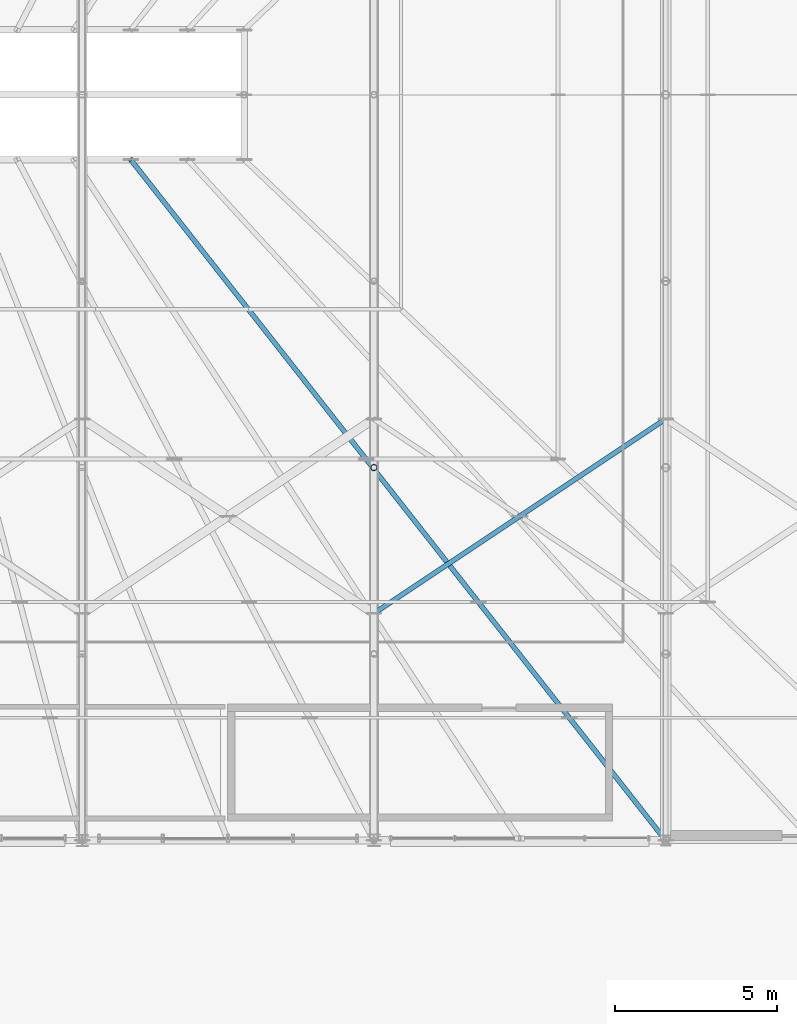
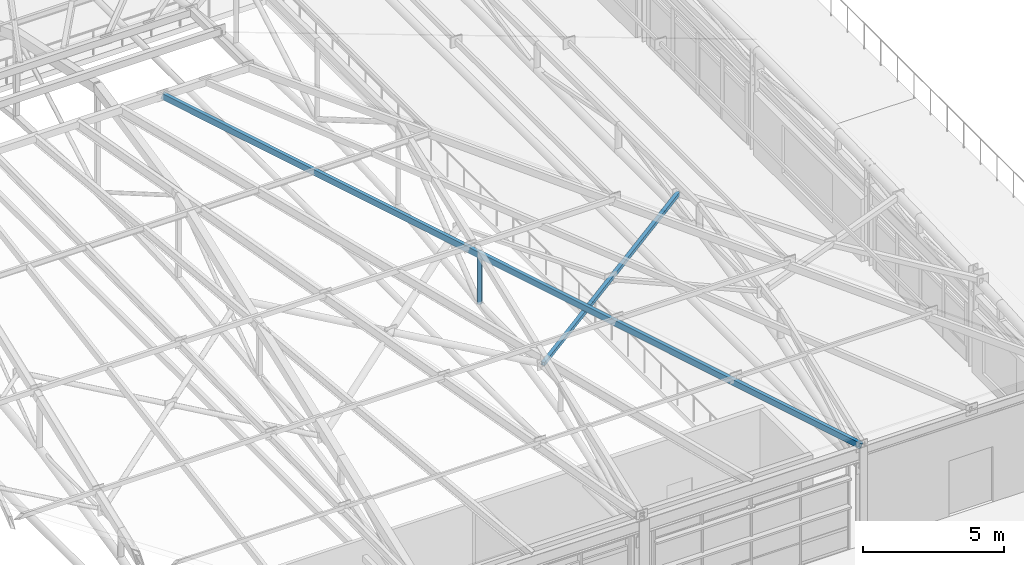
# One storey, part 40 of 168: 3 members.
"""IFC4 building model written with IfcOpenShell, lengths in metres."""

from ifc_helpers import new_model, si_unit, direction, frame, origin, origin_2d, place, context, subcontext, project, spatial, hollow_rectangle, hollow_circle, extrude, material, material_profile, profile_set, type_object, element, save


model = new_model("IFC4")

# Units and contexts
model_context = context("Model", 3, precision=1e-05, world=origin(), true_north=direction((0.0, 1.0)))
body_context = subcontext(model_context, "Body", "Model", "MODEL_VIEW")
ifc_project = project(units=[si_unit("LENGTHUNIT", "METRE"), si_unit("AREAUNIT", "SQUARE_METRE"), si_unit("VOLUMEUNIT", "CUBIC_METRE"), si_unit("PLANEANGLEUNIT", "RADIAN"), si_unit("MASSUNIT", "GRAM", prefix="KILO"), si_unit("THERMODYNAMICTEMPERATUREUNIT", "KELVIN"), si_unit("POWERUNIT", "WATT")], contexts=[model_context])

# Site, building, storey
site_placement = place(None, origin())
site = spatial("IfcSite", under=ifc_project, at=site_placement, CompositionType="ELEMENT")
building_placement = place(site_placement, origin())
building = spatial("IfcBuilding", under=site, at=building_placement, Name="Tepalcoro Natatorium and Aquatics Centre", CompositionType="ELEMENT")
storey_placement = place(building_placement, frame((0.0, 0.0, 10.199951171875)))
storey = spatial("IfcBuildingStorey", under=building, at=storey_placement, Name="L02", CompositionType="ELEMENT", Elevation=10.199951171875)

# Members
ifc_material_1 = material(Name="Hollow Steel ASTM A500 Grade C (Fy 345 MPa)", Category="steel")
ifc_material_profile_1 = material_profile(ifc_material_1, hollow_rectangle(XDim=0.14990234375, YDim=0.14990234375, WallThickness=0.010009765625, at=origin_2d()), Name="HSS150X150X10")
ifc_profile_set_1 = profile_set([ifc_material_profile_1], Name="Hollow Steel ASTM A500 Grade C (Fy 345 MPa)")
member_type_1 = type_object("IfcMemberType", Name="MB_BR_HSS150x150x10", PredefinedType="BRACE", material=ifc_profile_set_1)
member_1_placement = place(storey_placement, frame((107.0, 20.0, 6.768310546875), z_axis=(0.830740397449, 0.553826931632, 0.056090300815), x_axis=(-0.554700196225, 0.832050294338, 0.0)))
element("IfcMember", 1, at=member_1_placement, inside=storey, type_object=member_type_1, Name="V1 Pyramid Roof Wind Brace", PredefinedType="BRACE", context=body_context, shape_type="SweptSolid", body=[
    extrude(hollow_rectangle(XDim=0.14990234375, YDim=0.14990234375, WallThickness=0.010009765625, at=origin_2d()), origin(), (0.0, 0.0, 1.0), 10.833740234375),
])
ifc_material_2 = material(Name="Terracotta Painted Hollow Steel ASTM A500 Grade C (Fy 345 MPa)", Category="masonry")
ifc_material_profile_2 = material_profile(ifc_material_2, hollow_circle(Radius=0.096923828125, WallThickness=0.010009765625, at=origin_2d()), Name="CHS194X10")
ifc_profile_set_2 = profile_set([ifc_material_profile_2], Name="Terracotta Painted Hollow Steel ASTM A500 Grade C (Fy 345 MPa)")
member_type_2 = type_object("IfcMemberType", Name="MB_PS_CHS194x10", PredefinedType="POST", material=ifc_profile_set_2)
member_2_placement = place(storey_placement, frame((107.0, 24.5, 6.66259765625), z_axis=(0.0, 0.0, 1.0), x_axis=(1.0, 0.0, 0.0)))
element("IfcMember", 2, at=member_2_placement, inside=storey, type_object=member_type_2, Name="V1 Arched Truss Vertical Post 7", PredefinedType="POST", context=body_context, shape_type="SweptSolid", body=[
    extrude(hollow_circle(Radius=0.096923828125, WallThickness=0.010009765625, at=origin_2d()), origin(), (0.0, 0.0, 1.0), 2.179443359375),
])
ifc_material_profile_3 = material_profile(ifc_material_2, hollow_rectangle(XDim=0.14990234375, YDim=0.25, WallThickness=0.010009765625, at=origin_2d()), Name="HSS250X150X10")
ifc_profile_set_3 = profile_set([ifc_material_profile_3], Name="Terracotta Painted Hollow Steel ASTM A500 Grade C (Fy 345 MPa)")
member_type_3 = type_object("IfcMemberType", Name="MB_RF_HSS250x150x10", PredefinedType="RAFTER", material=ifc_profile_set_3)
member_3_placement = place(storey_placement, frame((116.0, 13.0, 4.320068359375), z_axis=(-0.590577770954, 0.75164443576, 0.293681015125), x_axis=(-0.786318338822, -0.617821551932, 0.0)))
element("IfcMember", 3, at=member_3_placement, inside=storey, type_object=member_type_3, Name="Pyramid Skylight Rafter South", PredefinedType="RAFTER", context=body_context, shape_type="SweptSolid", body=[
    extrude(hollow_rectangle(XDim=0.14990234375, YDim=0.25, WallThickness=0.010009765625, at=origin_2d()), origin(), (0.0, 0.0, 1.0), 27.938720703125),
])

save(model, "model.ifc")
